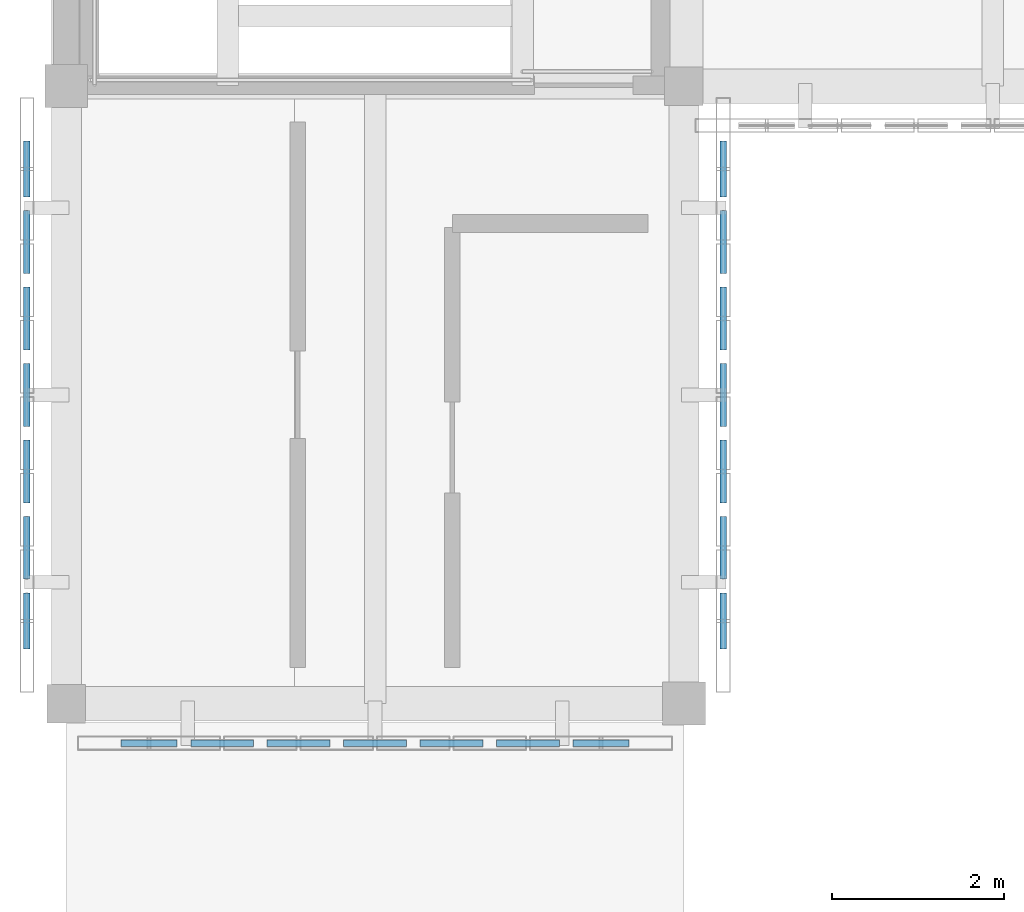
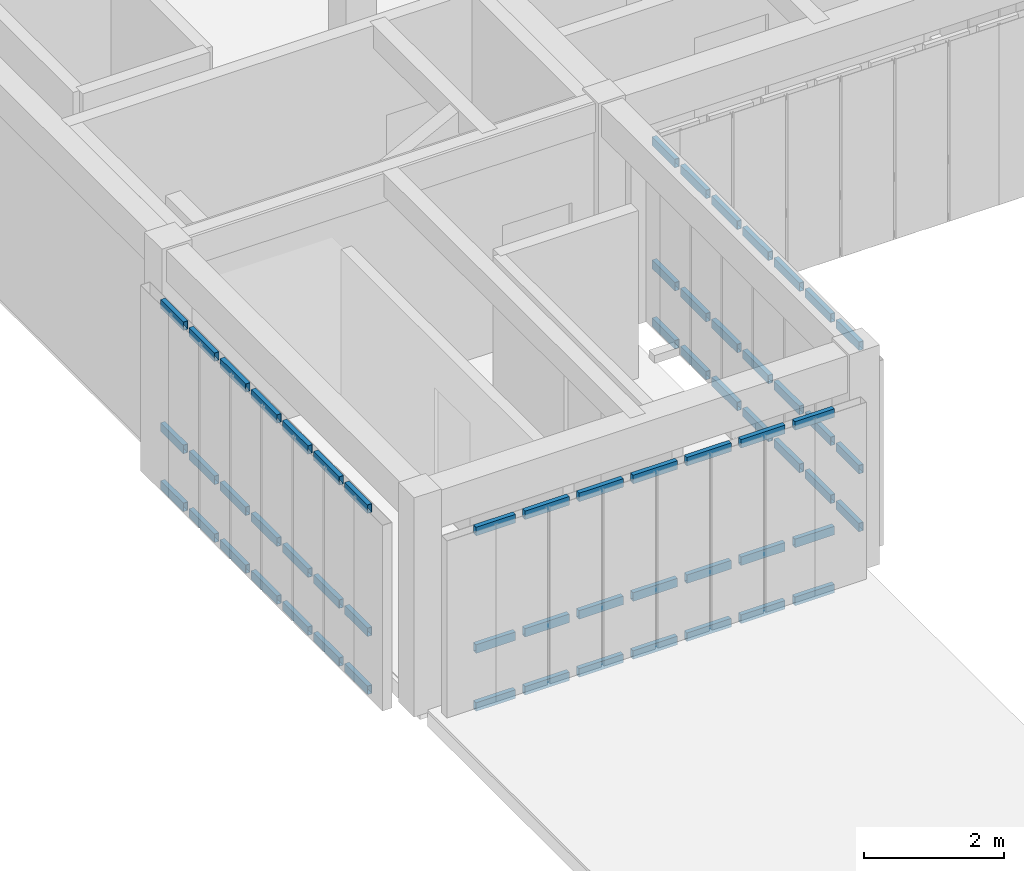
# One storey, part 13 of 67: 63 members, 3 elements without a shape of their own.
"""IFC4 building model written with IfcOpenShell, lengths in metres."""

from ifc_helpers import new_model, si_unit, direction, frame, origin, origin_2d, place, context, subcontext, project, spatial, hollow_rectangle, extrude, material, material_profile, profile_set, type_object, element, aggregate, save


model = new_model("IFC4")

# Units and contexts
model_context = context("Model", 3, precision=1e-05, world=origin(), true_north=direction((0.0, 1.0)))
body_context = subcontext(model_context, "Body", "Model", "MODEL_VIEW")
ifc_project = project(units=[si_unit("LENGTHUNIT", "METRE"), si_unit("AREAUNIT", "SQUARE_METRE"), si_unit("VOLUMEUNIT", "CUBIC_METRE"), si_unit("PLANEANGLEUNIT", "RADIAN"), si_unit("MASSUNIT", "GRAM", prefix="KILO")], contexts=[model_context])

# Site, building, storey
site_placement = place(None, origin())
site = spatial("IfcSite", under=ifc_project, at=site_placement, CompositionType="ELEMENT")
building_placement = place(site_placement, origin())
building = spatial("IfcBuilding", under=site, at=building_placement, Name="Aldebral Square Health Centre", CompositionType="ELEMENT")
storey_placement = place(building_placement, frame((0.0, 0.0, 13.5)))
storey = spatial("IfcBuildingStorey", under=building, at=storey_placement, Name="L03", CompositionType="ELEMENT", Elevation=13.5)

# Curtain wall, members
ifc_material_1 = material(Name="Aluminium and low-E solar glass", Category="aluminium")
curtain_wall_type = type_object("IfcCurtainWallType", Name="CW-FIN-SYS", PredefinedType="USERDEFINED", material=ifc_material_1)
curtain_wall_1_placement = place(storey_placement, origin())
curtain_wall_1 = element("IfcCurtainWall", 1, at=curtain_wall_1_placement, inside=storey, type_object=curtain_wall_type, Name="L03 V6 finned curtain wall L03-V6-00-03-S", ObjectType="SOLAR_CURTAIN_WALL", PredefinedType="USERDEFINED")
ifc_material_2 = material(Name="Anodised aluminium transom", Category="aluminium")
ifc_material_profile = material_profile(ifc_material_2, hollow_rectangle(XDim=0.074951171875, YDim=0.14990234375, WallThickness=0.00390625, at=origin_2d()), Name="CWT 75x150x4")
ifc_profile_set = profile_set([ifc_material_profile], Name="Anodised aluminium transom")
member_type = type_object("IfcMemberType", Name="CWT-STD", PredefinedType="USERDEFINED", material=ifc_profile_set)
member_1_placement = place(storey_placement, frame((0.639892578125, 21.139892578125, 0.03759765625), z_axis=(1.0, 0.0, 0.0), x_axis=(0.0, 1.0, 0.0)))
member_1 = element("IfcMember", 2, at=member_1_placement, type_object=member_type, Name="CW1 transom 1.1", ObjectType="TRANSOM", PredefinedType="USERDEFINED", context=body_context, shape_type="SweptSolid", body=[
    extrude(hollow_rectangle(XDim=0.074951171875, YDim=0.14990234375, WallThickness=0.00390625, at=origin_2d()), origin(), (0.0, 0.0, 1.0), 0.651611328125),
])
member_2_placement = place(storey_placement, frame((0.639892578125, 21.139892578125, 1.050048828125), z_axis=(1.0, 0.0, 0.0), x_axis=(0.0, 1.0, 0.0)))
member_2 = element("IfcMember", 3, at=member_2_placement, type_object=member_type, Name="CW1 transom 1.2", ObjectType="TRANSOM", PredefinedType="USERDEFINED", context=body_context, shape_type="SweptSolid", body=[
    extrude(hollow_rectangle(XDim=0.074951171875, YDim=0.14990234375, WallThickness=0.00390625, at=origin_2d()), origin(), (0.0, 0.0, 1.0), 0.651611328125),
])
member_3_placement = place(storey_placement, frame((0.639892578125, 21.139892578125, 3.1025390625), z_axis=(1.0, 0.0, 0.0), x_axis=(0.0, 1.0, 0.0)))
member_3 = element("IfcMember", 4, at=member_3_placement, type_object=member_type, Name="CW1 transom 1.3", ObjectType="TRANSOM", PredefinedType="USERDEFINED", context=body_context, shape_type="SweptSolid", body=[
    extrude(hollow_rectangle(XDim=0.074951171875, YDim=0.14990234375, WallThickness=0.00390625, at=origin_2d()), origin(), (0.0, 0.0, 1.0), 0.651611328125),
])
member_4_placement = place(storey_placement, frame((1.451416015625, 21.139892578125, 0.03759765625), z_axis=(1.0, 0.0, 0.0), x_axis=(0.0, 1.0, 0.0)))
member_4 = element("IfcMember", 5, at=member_4_placement, type_object=member_type, Name="CW1 transom 2.1", ObjectType="TRANSOM", PredefinedType="USERDEFINED", context=body_context, shape_type="SweptSolid", body=[
    extrude(hollow_rectangle(XDim=0.074951171875, YDim=0.14990234375, WallThickness=0.00390625, at=origin_2d()), origin(), (0.0, 0.0, 1.0), 0.7314453125),
])
member_5_placement = place(storey_placement, frame((1.451416015625, 21.139892578125, 1.050048828125), z_axis=(1.0, 0.0, 0.0), x_axis=(0.0, 1.0, 0.0)))
member_5 = element("IfcMember", 6, at=member_5_placement, type_object=member_type, Name="CW1 transom 2.2", ObjectType="TRANSOM", PredefinedType="USERDEFINED", context=body_context, shape_type="SweptSolid", body=[
    extrude(hollow_rectangle(XDim=0.074951171875, YDim=0.14990234375, WallThickness=0.00390625, at=origin_2d()), origin(), (0.0, 0.0, 1.0), 0.7314453125),
])
member_6_placement = place(storey_placement, frame((1.451416015625, 21.139892578125, 3.1025390625), z_axis=(1.0, 0.0, 0.0), x_axis=(0.0, 1.0, 0.0)))
member_6 = element("IfcMember", 7, at=member_6_placement, type_object=member_type, Name="CW1 transom 2.3", ObjectType="TRANSOM", PredefinedType="USERDEFINED", context=body_context, shape_type="SweptSolid", body=[
    extrude(hollow_rectangle(XDim=0.074951171875, YDim=0.14990234375, WallThickness=0.00390625, at=origin_2d()), origin(), (0.0, 0.0, 1.0), 0.7314453125),
])
member_7_placement = place(storey_placement, frame((2.3427734375, 21.139892578125, 0.03759765625), z_axis=(1.0, 0.0, 0.0), x_axis=(0.0, 1.0, 0.0)))
member_7 = element("IfcMember", 8, at=member_7_placement, type_object=member_type, Name="CW1 transom 3.1", ObjectType="TRANSOM", PredefinedType="USERDEFINED", context=body_context, shape_type="SweptSolid", body=[
    extrude(hollow_rectangle(XDim=0.074951171875, YDim=0.14990234375, WallThickness=0.00390625, at=origin_2d()), origin(), (0.0, 0.0, 1.0), 0.7314453125),
])
member_8_placement = place(storey_placement, frame((2.3427734375, 21.139892578125, 1.050048828125), z_axis=(1.0, 0.0, 0.0), x_axis=(0.0, 1.0, 0.0)))
member_8 = element("IfcMember", 9, at=member_8_placement, type_object=member_type, Name="CW1 transom 3.2", ObjectType="TRANSOM", PredefinedType="USERDEFINED", context=body_context, shape_type="SweptSolid", body=[
    extrude(hollow_rectangle(XDim=0.074951171875, YDim=0.14990234375, WallThickness=0.00390625, at=origin_2d()), origin(), (0.0, 0.0, 1.0), 0.7314453125),
])
member_9_placement = place(storey_placement, frame((2.3427734375, 21.139892578125, 3.1025390625), z_axis=(1.0, 0.0, 0.0), x_axis=(0.0, 1.0, 0.0)))
member_9 = element("IfcMember", 10, at=member_9_placement, type_object=member_type, Name="CW1 transom 3.3", ObjectType="TRANSOM", PredefinedType="USERDEFINED", context=body_context, shape_type="SweptSolid", body=[
    extrude(hollow_rectangle(XDim=0.074951171875, YDim=0.14990234375, WallThickness=0.00390625, at=origin_2d()), origin(), (0.0, 0.0, 1.0), 0.7314453125),
])
member_10_placement = place(storey_placement, frame((3.234375, 21.139892578125, 0.03759765625), z_axis=(1.0, 0.0, 0.0), x_axis=(0.0, 1.0, 0.0)))
member_10 = element("IfcMember", 11, at=member_10_placement, type_object=member_type, Name="CW1 transom 4.1", ObjectType="TRANSOM", PredefinedType="USERDEFINED", context=body_context, shape_type="SweptSolid", body=[
    extrude(hollow_rectangle(XDim=0.074951171875, YDim=0.14990234375, WallThickness=0.00390625, at=origin_2d()), origin(), (0.0, 0.0, 1.0), 0.7314453125),
])
member_11_placement = place(storey_placement, frame((3.234375, 21.139892578125, 1.050048828125), z_axis=(1.0, 0.0, 0.0), x_axis=(0.0, 1.0, 0.0)))
member_11 = element("IfcMember", 12, at=member_11_placement, type_object=member_type, Name="CW1 transom 4.2", ObjectType="TRANSOM", PredefinedType="USERDEFINED", context=body_context, shape_type="SweptSolid", body=[
    extrude(hollow_rectangle(XDim=0.074951171875, YDim=0.14990234375, WallThickness=0.00390625, at=origin_2d()), origin(), (0.0, 0.0, 1.0), 0.7314453125),
])
member_12_placement = place(storey_placement, frame((3.234375, 21.139892578125, 3.1025390625), z_axis=(1.0, 0.0, 0.0), x_axis=(0.0, 1.0, 0.0)))
member_12 = element("IfcMember", 13, at=member_12_placement, type_object=member_type, Name="CW1 transom 4.3", ObjectType="TRANSOM", PredefinedType="USERDEFINED", context=body_context, shape_type="SweptSolid", body=[
    extrude(hollow_rectangle(XDim=0.074951171875, YDim=0.14990234375, WallThickness=0.00390625, at=origin_2d()), origin(), (0.0, 0.0, 1.0), 0.7314453125),
])
member_13_placement = place(storey_placement, frame((4.125732421875, 21.139892578125, 0.03759765625), z_axis=(1.0, 0.0, 0.0), x_axis=(0.0, 1.0, 0.0)))
member_13 = element("IfcMember", 14, at=member_13_placement, type_object=member_type, Name="CW1 transom 5.1", ObjectType="TRANSOM", PredefinedType="USERDEFINED", context=body_context, shape_type="SweptSolid", body=[
    extrude(hollow_rectangle(XDim=0.074951171875, YDim=0.14990234375, WallThickness=0.00390625, at=origin_2d()), origin(), (0.0, 0.0, 1.0), 0.7314453125),
])
member_14_placement = place(storey_placement, frame((4.125732421875, 21.139892578125, 1.050048828125), z_axis=(1.0, 0.0, 0.0), x_axis=(0.0, 1.0, 0.0)))
member_14 = element("IfcMember", 15, at=member_14_placement, type_object=member_type, Name="CW1 transom 5.2", ObjectType="TRANSOM", PredefinedType="USERDEFINED", context=body_context, shape_type="SweptSolid", body=[
    extrude(hollow_rectangle(XDim=0.074951171875, YDim=0.14990234375, WallThickness=0.00390625, at=origin_2d()), origin(), (0.0, 0.0, 1.0), 0.7314453125),
])
member_15_placement = place(storey_placement, frame((4.125732421875, 21.139892578125, 3.1025390625), z_axis=(1.0, 0.0, 0.0), x_axis=(0.0, 1.0, 0.0)))
member_15 = element("IfcMember", 16, at=member_15_placement, type_object=member_type, Name="CW1 transom 5.3", ObjectType="TRANSOM", PredefinedType="USERDEFINED", context=body_context, shape_type="SweptSolid", body=[
    extrude(hollow_rectangle(XDim=0.074951171875, YDim=0.14990234375, WallThickness=0.00390625, at=origin_2d()), origin(), (0.0, 0.0, 1.0), 0.7314453125),
])
member_16_placement = place(storey_placement, frame((5.01708984375, 21.139892578125, 0.03759765625), z_axis=(1.0, 0.0, 0.0), x_axis=(0.0, 1.0, 0.0)))
member_16 = element("IfcMember", 17, at=member_16_placement, type_object=member_type, Name="CW1 transom 6.1", ObjectType="TRANSOM", PredefinedType="USERDEFINED", context=body_context, shape_type="SweptSolid", body=[
    extrude(hollow_rectangle(XDim=0.074951171875, YDim=0.14990234375, WallThickness=0.00390625, at=origin_2d()), origin(), (0.0, 0.0, 1.0), 0.7314453125),
])
member_17_placement = place(storey_placement, frame((5.01708984375, 21.139892578125, 1.050048828125), z_axis=(1.0, 0.0, 0.0), x_axis=(0.0, 1.0, 0.0)))
member_17 = element("IfcMember", 18, at=member_17_placement, type_object=member_type, Name="CW1 transom 6.2", ObjectType="TRANSOM", PredefinedType="USERDEFINED", context=body_context, shape_type="SweptSolid", body=[
    extrude(hollow_rectangle(XDim=0.074951171875, YDim=0.14990234375, WallThickness=0.00390625, at=origin_2d()), origin(), (0.0, 0.0, 1.0), 0.7314453125),
])
member_18_placement = place(storey_placement, frame((5.01708984375, 21.139892578125, 3.1025390625), z_axis=(1.0, 0.0, 0.0), x_axis=(0.0, 1.0, 0.0)))
member_18 = element("IfcMember", 19, at=member_18_placement, type_object=member_type, Name="CW1 transom 6.3", ObjectType="TRANSOM", PredefinedType="USERDEFINED", context=body_context, shape_type="SweptSolid", body=[
    extrude(hollow_rectangle(XDim=0.074951171875, YDim=0.14990234375, WallThickness=0.00390625, at=origin_2d()), origin(), (0.0, 0.0, 1.0), 0.7314453125),
])
member_19_placement = place(storey_placement, frame((5.90869140625, 21.139892578125, 0.03759765625), z_axis=(1.0, 0.0, 0.0), x_axis=(0.0, 1.0, 0.0)))
member_19 = element("IfcMember", 20, at=member_19_placement, type_object=member_type, Name="CW1 transom 7.1", ObjectType="TRANSOM", PredefinedType="USERDEFINED", context=body_context, shape_type="SweptSolid", body=[
    extrude(hollow_rectangle(XDim=0.074951171875, YDim=0.14990234375, WallThickness=0.00390625, at=origin_2d()), origin(), (0.0, 0.0, 1.0), 0.6513671875),
])
member_20_placement = place(storey_placement, frame((5.90869140625, 21.139892578125, 1.050048828125), z_axis=(1.0, 0.0, 0.0), x_axis=(0.0, 1.0, 0.0)))
member_20 = element("IfcMember", 21, at=member_20_placement, type_object=member_type, Name="CW1 transom 7.2", ObjectType="TRANSOM", PredefinedType="USERDEFINED", context=body_context, shape_type="SweptSolid", body=[
    extrude(hollow_rectangle(XDim=0.074951171875, YDim=0.14990234375, WallThickness=0.00390625, at=origin_2d()), origin(), (0.0, 0.0, 1.0), 0.6513671875),
])
member_21_placement = place(storey_placement, frame((5.90869140625, 21.139892578125, 3.1025390625), z_axis=(1.0, 0.0, 0.0), x_axis=(0.0, 1.0, 0.0)))
member_21 = element("IfcMember", 22, at=member_21_placement, type_object=member_type, Name="CW1 transom 7.3", ObjectType="TRANSOM", PredefinedType="USERDEFINED", context=body_context, shape_type="SweptSolid", body=[
    extrude(hollow_rectangle(XDim=0.074951171875, YDim=0.14990234375, WallThickness=0.00390625, at=origin_2d()), origin(), (0.0, 0.0, 1.0), 0.6513671875),
])
aggregate(curtain_wall_1, [member_1, member_2, member_3, member_4, member_5, member_6, member_7, member_8, member_9, member_10, member_11, member_12, member_13, member_14, member_15, member_16, member_17, member_18, member_19, member_20, member_21])

curtain_wall_2_placement = place(storey_placement, origin())
curtain_wall_2 = element("IfcCurtainWall", 23, at=curtain_wall_2_placement, inside=storey, type_object=curtain_wall_type, Name="L03 V6 finned curtain wall L03-V6-00-03-W", ObjectType="SOLAR_CURTAIN_WALL", PredefinedType="USERDEFINED")
member_22_placement = place(storey_placement, frame((-0.4599609375, 28.159912109375, 0.03759765625), z_axis=(0.0, -1.0, 0.0), x_axis=(1.0, 0.0, 0.0)))
member_22 = element("IfcMember", 24, at=member_22_placement, type_object=member_type, Name="CW1 transom 1.1", ObjectType="TRANSOM", PredefinedType="USERDEFINED", context=body_context, shape_type="SweptSolid", body=[
    extrude(hollow_rectangle(XDim=0.074951171875, YDim=0.14990234375, WallThickness=0.00390625, at=origin_2d()), origin(), (0.0, 0.0, 1.0), 0.6513671875),
])
member_23_placement = place(storey_placement, frame((-0.4599609375, 28.159912109375, 1.050048828125), z_axis=(0.0, -1.0, 0.0), x_axis=(1.0, 0.0, 0.0)))
member_23 = element("IfcMember", 25, at=member_23_placement, type_object=member_type, Name="CW1 transom 1.2", ObjectType="TRANSOM", PredefinedType="USERDEFINED", context=body_context, shape_type="SweptSolid", body=[
    extrude(hollow_rectangle(XDim=0.074951171875, YDim=0.14990234375, WallThickness=0.00390625, at=origin_2d()), origin(), (0.0, 0.0, 1.0), 0.6513671875),
])
member_24_placement = place(storey_placement, frame((-0.4599609375, 28.159912109375, 3.202392578125), z_axis=(0.0, -1.0, 0.0), x_axis=(1.0, 0.0, 0.0)))
member_24 = element("IfcMember", 26, at=member_24_placement, type_object=member_type, Name="CW1 transom 1.3", ObjectType="TRANSOM", PredefinedType="USERDEFINED", context=body_context, shape_type="SweptSolid", body=[
    extrude(hollow_rectangle(XDim=0.074951171875, YDim=0.14990234375, WallThickness=0.00390625, at=origin_2d()), origin(), (0.0, 0.0, 1.0), 0.6513671875),
])
member_25_placement = place(storey_placement, frame((-0.4599609375, 27.3486328125, 0.03759765625), z_axis=(0.0, -1.0, 0.0), x_axis=(1.0, 0.0, 0.0)))
member_25 = element("IfcMember", 27, at=member_25_placement, type_object=member_type, Name="CW1 transom 2.1", ObjectType="TRANSOM", PredefinedType="USERDEFINED", context=body_context, shape_type="SweptSolid", body=[
    extrude(hollow_rectangle(XDim=0.074951171875, YDim=0.14990234375, WallThickness=0.00390625, at=origin_2d()), origin(), (0.0, 0.0, 1.0), 0.7314453125),
])
member_26_placement = place(storey_placement, frame((-0.4599609375, 27.3486328125, 1.050048828125), z_axis=(0.0, -1.0, 0.0), x_axis=(1.0, 0.0, 0.0)))
member_26 = element("IfcMember", 28, at=member_26_placement, type_object=member_type, Name="CW1 transom 2.2", ObjectType="TRANSOM", PredefinedType="USERDEFINED", context=body_context, shape_type="SweptSolid", body=[
    extrude(hollow_rectangle(XDim=0.074951171875, YDim=0.14990234375, WallThickness=0.00390625, at=origin_2d()), origin(), (0.0, 0.0, 1.0), 0.7314453125),
])
member_27_placement = place(storey_placement, frame((-0.4599609375, 27.3486328125, 3.202392578125), z_axis=(0.0, -1.0, 0.0), x_axis=(1.0, 0.0, 0.0)))
member_27 = element("IfcMember", 29, at=member_27_placement, type_object=member_type, Name="CW1 transom 2.3", ObjectType="TRANSOM", PredefinedType="USERDEFINED", context=body_context, shape_type="SweptSolid", body=[
    extrude(hollow_rectangle(XDim=0.074951171875, YDim=0.14990234375, WallThickness=0.00390625, at=origin_2d()), origin(), (0.0, 0.0, 1.0), 0.7314453125),
])
member_28_placement = place(storey_placement, frame((-0.4599609375, 26.45703125, 0.03759765625), z_axis=(0.0, -1.0, 0.0), x_axis=(1.0, 0.0, 0.0)))
member_28 = element("IfcMember", 30, at=member_28_placement, type_object=member_type, Name="CW1 transom 3.1", ObjectType="TRANSOM", PredefinedType="USERDEFINED", context=body_context, shape_type="SweptSolid", body=[
    extrude(hollow_rectangle(XDim=0.074951171875, YDim=0.14990234375, WallThickness=0.00390625, at=origin_2d()), origin(), (0.0, 0.0, 1.0), 0.731201171875),
])
member_29_placement = place(storey_placement, frame((-0.4599609375, 26.45703125, 1.050048828125), z_axis=(0.0, -1.0, 0.0), x_axis=(1.0, 0.0, 0.0)))
member_29 = element("IfcMember", 31, at=member_29_placement, type_object=member_type, Name="CW1 transom 3.2", ObjectType="TRANSOM", PredefinedType="USERDEFINED", context=body_context, shape_type="SweptSolid", body=[
    extrude(hollow_rectangle(XDim=0.074951171875, YDim=0.14990234375, WallThickness=0.00390625, at=origin_2d()), origin(), (0.0, 0.0, 1.0), 0.731201171875),
])
member_30_placement = place(storey_placement, frame((-0.4599609375, 26.45703125, 3.202392578125), z_axis=(0.0, -1.0, 0.0), x_axis=(1.0, 0.0, 0.0)))
member_30 = element("IfcMember", 32, at=member_30_placement, type_object=member_type, Name="CW1 transom 3.3", ObjectType="TRANSOM", PredefinedType="USERDEFINED", context=body_context, shape_type="SweptSolid", body=[
    extrude(hollow_rectangle(XDim=0.074951171875, YDim=0.14990234375, WallThickness=0.00390625, at=origin_2d()), origin(), (0.0, 0.0, 1.0), 0.731201171875),
])
member_31_placement = place(storey_placement, frame((-0.4599609375, 25.565673828125, 0.03759765625), z_axis=(0.0, -1.0, 0.0), x_axis=(1.0, 0.0, 0.0)))
member_31 = element("IfcMember", 33, at=member_31_placement, type_object=member_type, Name="CW1 transom 4.1", ObjectType="TRANSOM", PredefinedType="USERDEFINED", context=body_context, shape_type="SweptSolid", body=[
    extrude(hollow_rectangle(XDim=0.074951171875, YDim=0.14990234375, WallThickness=0.00390625, at=origin_2d()), origin(), (0.0, 0.0, 1.0), 0.7314453125),
])
member_32_placement = place(storey_placement, frame((-0.4599609375, 25.565673828125, 1.050048828125), z_axis=(0.0, -1.0, 0.0), x_axis=(1.0, 0.0, 0.0)))
member_32 = element("IfcMember", 34, at=member_32_placement, type_object=member_type, Name="CW1 transom 4.2", ObjectType="TRANSOM", PredefinedType="USERDEFINED", context=body_context, shape_type="SweptSolid", body=[
    extrude(hollow_rectangle(XDim=0.074951171875, YDim=0.14990234375, WallThickness=0.00390625, at=origin_2d()), origin(), (0.0, 0.0, 1.0), 0.7314453125),
])
member_33_placement = place(storey_placement, frame((-0.4599609375, 25.565673828125, 3.202392578125), z_axis=(0.0, -1.0, 0.0), x_axis=(1.0, 0.0, 0.0)))
member_33 = element("IfcMember", 35, at=member_33_placement, type_object=member_type, Name="CW1 transom 4.3", ObjectType="TRANSOM", PredefinedType="USERDEFINED", context=body_context, shape_type="SweptSolid", body=[
    extrude(hollow_rectangle(XDim=0.074951171875, YDim=0.14990234375, WallThickness=0.00390625, at=origin_2d()), origin(), (0.0, 0.0, 1.0), 0.7314453125),
])
member_34_placement = place(storey_placement, frame((-0.4599609375, 24.67431640625, 0.03759765625), z_axis=(0.0, -1.0, 0.0), x_axis=(1.0, 0.0, 0.0)))
member_34 = element("IfcMember", 36, at=member_34_placement, type_object=member_type, Name="CW1 transom 5.1", ObjectType="TRANSOM", PredefinedType="USERDEFINED", context=body_context, shape_type="SweptSolid", body=[
    extrude(hollow_rectangle(XDim=0.074951171875, YDim=0.14990234375, WallThickness=0.00390625, at=origin_2d()), origin(), (0.0, 0.0, 1.0), 0.7314453125),
])
member_35_placement = place(storey_placement, frame((-0.4599609375, 24.67431640625, 1.050048828125), z_axis=(0.0, -1.0, 0.0), x_axis=(1.0, 0.0, 0.0)))
member_35 = element("IfcMember", 37, at=member_35_placement, type_object=member_type, Name="CW1 transom 5.2", ObjectType="TRANSOM", PredefinedType="USERDEFINED", context=body_context, shape_type="SweptSolid", body=[
    extrude(hollow_rectangle(XDim=0.074951171875, YDim=0.14990234375, WallThickness=0.00390625, at=origin_2d()), origin(), (0.0, 0.0, 1.0), 0.7314453125),
])
member_36_placement = place(storey_placement, frame((-0.4599609375, 24.67431640625, 3.202392578125), z_axis=(0.0, -1.0, 0.0), x_axis=(1.0, 0.0, 0.0)))
member_36 = element("IfcMember", 38, at=member_36_placement, type_object=member_type, Name="CW1 transom 5.3", ObjectType="TRANSOM", PredefinedType="USERDEFINED", context=body_context, shape_type="SweptSolid", body=[
    extrude(hollow_rectangle(XDim=0.074951171875, YDim=0.14990234375, WallThickness=0.00390625, at=origin_2d()), origin(), (0.0, 0.0, 1.0), 0.7314453125),
])
member_37_placement = place(storey_placement, frame((-0.4599609375, 23.782958984375, 0.03759765625), z_axis=(0.0, -1.0, 0.0), x_axis=(1.0, 0.0, 0.0)))
member_37 = element("IfcMember", 39, at=member_37_placement, type_object=member_type, Name="CW1 transom 6.1", ObjectType="TRANSOM", PredefinedType="USERDEFINED", context=body_context, shape_type="SweptSolid", body=[
    extrude(hollow_rectangle(XDim=0.074951171875, YDim=0.14990234375, WallThickness=0.00390625, at=origin_2d()), origin(), (0.0, 0.0, 1.0), 0.7314453125),
])
member_38_placement = place(storey_placement, frame((-0.4599609375, 23.782958984375, 1.050048828125), z_axis=(0.0, -1.0, 0.0), x_axis=(1.0, 0.0, 0.0)))
member_38 = element("IfcMember", 40, at=member_38_placement, type_object=member_type, Name="CW1 transom 6.2", ObjectType="TRANSOM", PredefinedType="USERDEFINED", context=body_context, shape_type="SweptSolid", body=[
    extrude(hollow_rectangle(XDim=0.074951171875, YDim=0.14990234375, WallThickness=0.00390625, at=origin_2d()), origin(), (0.0, 0.0, 1.0), 0.7314453125),
])
member_39_placement = place(storey_placement, frame((-0.4599609375, 23.782958984375, 3.202392578125), z_axis=(0.0, -1.0, 0.0), x_axis=(1.0, 0.0, 0.0)))
member_39 = element("IfcMember", 41, at=member_39_placement, type_object=member_type, Name="CW1 transom 6.3", ObjectType="TRANSOM", PredefinedType="USERDEFINED", context=body_context, shape_type="SweptSolid", body=[
    extrude(hollow_rectangle(XDim=0.074951171875, YDim=0.14990234375, WallThickness=0.00390625, at=origin_2d()), origin(), (0.0, 0.0, 1.0), 0.7314453125),
])
member_40_placement = place(storey_placement, frame((-0.4599609375, 22.891357421875, 0.03759765625), z_axis=(0.0, -1.0, 0.0), x_axis=(1.0, 0.0, 0.0)))
member_40 = element("IfcMember", 42, at=member_40_placement, type_object=member_type, Name="CW1 transom 7.1", ObjectType="TRANSOM", PredefinedType="USERDEFINED", context=body_context, shape_type="SweptSolid", body=[
    extrude(hollow_rectangle(XDim=0.074951171875, YDim=0.14990234375, WallThickness=0.00390625, at=origin_2d()), origin(), (0.0, 0.0, 1.0), 0.6513671875),
])
member_41_placement = place(storey_placement, frame((-0.4599609375, 22.891357421875, 1.050048828125), z_axis=(0.0, -1.0, 0.0), x_axis=(1.0, 0.0, 0.0)))
member_41 = element("IfcMember", 43, at=member_41_placement, type_object=member_type, Name="CW1 transom 7.2", ObjectType="TRANSOM", PredefinedType="USERDEFINED", context=body_context, shape_type="SweptSolid", body=[
    extrude(hollow_rectangle(XDim=0.074951171875, YDim=0.14990234375, WallThickness=0.00390625, at=origin_2d()), origin(), (0.0, 0.0, 1.0), 0.6513671875),
])
member_42_placement = place(storey_placement, frame((-0.4599609375, 22.891357421875, 3.202392578125), z_axis=(0.0, -1.0, 0.0), x_axis=(1.0, 0.0, 0.0)))
member_42 = element("IfcMember", 44, at=member_42_placement, type_object=member_type, Name="CW1 transom 7.3", ObjectType="TRANSOM", PredefinedType="USERDEFINED", context=body_context, shape_type="SweptSolid", body=[
    extrude(hollow_rectangle(XDim=0.074951171875, YDim=0.14990234375, WallThickness=0.00390625, at=origin_2d()), origin(), (0.0, 0.0, 1.0), 0.6513671875),
])
aggregate(curtain_wall_2, [member_22, member_23, member_24, member_25, member_26, member_27, member_28, member_29, member_30, member_31, member_32, member_33, member_34, member_35, member_36, member_37, member_38, member_39, member_40, member_41, member_42])

curtain_wall_3_placement = place(storey_placement, origin())
curtain_wall_3 = element("IfcCurtainWall", 45, at=curtain_wall_3_placement, inside=storey, type_object=curtain_wall_type, Name="L03 V6 finned curtain wall L03-V6-00-03-E", ObjectType="SOLAR_CURTAIN_WALL", PredefinedType="USERDEFINED")
member_43_placement = place(storey_placement, frame((7.659912109375, 22.239990234375, 0.03759765625), z_axis=(0.0, 1.0, 0.0), x_axis=(-1.0, 0.0, 0.0)))
member_43 = element("IfcMember", 46, at=member_43_placement, type_object=member_type, Name="CW1 transom 1.1", ObjectType="TRANSOM", PredefinedType="USERDEFINED", context=body_context, shape_type="SweptSolid", body=[
    extrude(hollow_rectangle(XDim=0.074951171875, YDim=0.14990234375, WallThickness=0.00390625, at=origin_2d()), origin(), (0.0, 0.0, 1.0), 0.6513671875),
])
member_44_placement = place(storey_placement, frame((7.659912109375, 22.239990234375, 1.050048828125), z_axis=(0.0, 1.0, 0.0), x_axis=(-1.0, 0.0, 0.0)))
member_44 = element("IfcMember", 47, at=member_44_placement, type_object=member_type, Name="CW1 transom 1.2", ObjectType="TRANSOM", PredefinedType="USERDEFINED", context=body_context, shape_type="SweptSolid", body=[
    extrude(hollow_rectangle(XDim=0.074951171875, YDim=0.14990234375, WallThickness=0.00390625, at=origin_2d()), origin(), (0.0, 0.0, 1.0), 0.6513671875),
])
member_45_placement = place(storey_placement, frame((7.659912109375, 22.239990234375, 3.202392578125), z_axis=(0.0, 1.0, 0.0), x_axis=(-1.0, 0.0, 0.0)))
member_45 = element("IfcMember", 48, at=member_45_placement, type_object=member_type, Name="CW1 transom 1.3", ObjectType="TRANSOM", PredefinedType="USERDEFINED", context=body_context, shape_type="SweptSolid", body=[
    extrude(hollow_rectangle(XDim=0.074951171875, YDim=0.14990234375, WallThickness=0.00390625, at=origin_2d()), origin(), (0.0, 0.0, 1.0), 0.6513671875),
])
member_46_placement = place(storey_placement, frame((7.659912109375, 23.051513671875, 0.03759765625), z_axis=(0.0, 1.0, 0.0), x_axis=(-1.0, 0.0, 0.0)))
member_46 = element("IfcMember", 49, at=member_46_placement, type_object=member_type, Name="CW1 transom 2.1", ObjectType="TRANSOM", PredefinedType="USERDEFINED", context=body_context, shape_type="SweptSolid", body=[
    extrude(hollow_rectangle(XDim=0.074951171875, YDim=0.14990234375, WallThickness=0.00390625, at=origin_2d()), origin(), (0.0, 0.0, 1.0), 0.7314453125),
])
member_47_placement = place(storey_placement, frame((7.659912109375, 23.051513671875, 1.050048828125), z_axis=(0.0, 1.0, 0.0), x_axis=(-1.0, 0.0, 0.0)))
member_47 = element("IfcMember", 50, at=member_47_placement, type_object=member_type, Name="CW1 transom 2.2", ObjectType="TRANSOM", PredefinedType="USERDEFINED", context=body_context, shape_type="SweptSolid", body=[
    extrude(hollow_rectangle(XDim=0.074951171875, YDim=0.14990234375, WallThickness=0.00390625, at=origin_2d()), origin(), (0.0, 0.0, 1.0), 0.7314453125),
])
member_48_placement = place(storey_placement, frame((7.659912109375, 23.051513671875, 3.202392578125), z_axis=(0.0, 1.0, 0.0), x_axis=(-1.0, 0.0, 0.0)))
member_48 = element("IfcMember", 51, at=member_48_placement, type_object=member_type, Name="CW1 transom 2.3", ObjectType="TRANSOM", PredefinedType="USERDEFINED", context=body_context, shape_type="SweptSolid", body=[
    extrude(hollow_rectangle(XDim=0.074951171875, YDim=0.14990234375, WallThickness=0.00390625, at=origin_2d()), origin(), (0.0, 0.0, 1.0), 0.7314453125),
])
member_49_placement = place(storey_placement, frame((7.659912109375, 23.94287109375, 0.03759765625), z_axis=(0.0, 1.0, 0.0), x_axis=(-1.0, 0.0, 0.0)))
member_49 = element("IfcMember", 52, at=member_49_placement, type_object=member_type, Name="CW1 transom 3.1", ObjectType="TRANSOM", PredefinedType="USERDEFINED", context=body_context, shape_type="SweptSolid", body=[
    extrude(hollow_rectangle(XDim=0.074951171875, YDim=0.14990234375, WallThickness=0.00390625, at=origin_2d()), origin(), (0.0, 0.0, 1.0), 0.7314453125),
])
member_50_placement = place(storey_placement, frame((7.659912109375, 23.94287109375, 1.050048828125), z_axis=(0.0, 1.0, 0.0), x_axis=(-1.0, 0.0, 0.0)))
member_50 = element("IfcMember", 53, at=member_50_placement, type_object=member_type, Name="CW1 transom 3.2", ObjectType="TRANSOM", PredefinedType="USERDEFINED", context=body_context, shape_type="SweptSolid", body=[
    extrude(hollow_rectangle(XDim=0.074951171875, YDim=0.14990234375, WallThickness=0.00390625, at=origin_2d()), origin(), (0.0, 0.0, 1.0), 0.7314453125),
])
member_51_placement = place(storey_placement, frame((7.659912109375, 23.94287109375, 3.202392578125), z_axis=(0.0, 1.0, 0.0), x_axis=(-1.0, 0.0, 0.0)))
member_51 = element("IfcMember", 54, at=member_51_placement, type_object=member_type, Name="CW1 transom 3.3", ObjectType="TRANSOM", PredefinedType="USERDEFINED", context=body_context, shape_type="SweptSolid", body=[
    extrude(hollow_rectangle(XDim=0.074951171875, YDim=0.14990234375, WallThickness=0.00390625, at=origin_2d()), origin(), (0.0, 0.0, 1.0), 0.7314453125),
])
member_52_placement = place(storey_placement, frame((7.659912109375, 24.834228515625, 0.03759765625), z_axis=(0.0, 1.0, 0.0), x_axis=(-1.0, 0.0, 0.0)))
member_52 = element("IfcMember", 55, at=member_52_placement, type_object=member_type, Name="CW1 transom 4.1", ObjectType="TRANSOM", PredefinedType="USERDEFINED", context=body_context, shape_type="SweptSolid", body=[
    extrude(hollow_rectangle(XDim=0.074951171875, YDim=0.14990234375, WallThickness=0.00390625, at=origin_2d()), origin(), (0.0, 0.0, 1.0), 0.7314453125),
])
member_53_placement = place(storey_placement, frame((7.659912109375, 24.834228515625, 1.050048828125), z_axis=(0.0, 1.0, 0.0), x_axis=(-1.0, 0.0, 0.0)))
member_53 = element("IfcMember", 56, at=member_53_placement, type_object=member_type, Name="CW1 transom 4.2", ObjectType="TRANSOM", PredefinedType="USERDEFINED", context=body_context, shape_type="SweptSolid", body=[
    extrude(hollow_rectangle(XDim=0.074951171875, YDim=0.14990234375, WallThickness=0.00390625, at=origin_2d()), origin(), (0.0, 0.0, 1.0), 0.7314453125),
])
member_54_placement = place(storey_placement, frame((7.659912109375, 24.834228515625, 3.202392578125), z_axis=(0.0, 1.0, 0.0), x_axis=(-1.0, 0.0, 0.0)))
member_54 = element("IfcMember", 57, at=member_54_placement, type_object=member_type, Name="CW1 transom 4.3", ObjectType="TRANSOM", PredefinedType="USERDEFINED", context=body_context, shape_type="SweptSolid", body=[
    extrude(hollow_rectangle(XDim=0.074951171875, YDim=0.14990234375, WallThickness=0.00390625, at=origin_2d()), origin(), (0.0, 0.0, 1.0), 0.7314453125),
])
member_55_placement = place(storey_placement, frame((7.659912109375, 25.725830078125, 0.03759765625), z_axis=(0.0, 1.0, 0.0), x_axis=(-1.0, 0.0, 0.0)))
member_55 = element("IfcMember", 58, at=member_55_placement, type_object=member_type, Name="CW1 transom 5.1", ObjectType="TRANSOM", PredefinedType="USERDEFINED", context=body_context, shape_type="SweptSolid", body=[
    extrude(hollow_rectangle(XDim=0.074951171875, YDim=0.14990234375, WallThickness=0.00390625, at=origin_2d()), origin(), (0.0, 0.0, 1.0), 0.731201171875),
])
member_56_placement = place(storey_placement, frame((7.659912109375, 25.725830078125, 1.050048828125), z_axis=(0.0, 1.0, 0.0), x_axis=(-1.0, 0.0, 0.0)))
member_56 = element("IfcMember", 59, at=member_56_placement, type_object=member_type, Name="CW1 transom 5.2", ObjectType="TRANSOM", PredefinedType="USERDEFINED", context=body_context, shape_type="SweptSolid", body=[
    extrude(hollow_rectangle(XDim=0.074951171875, YDim=0.14990234375, WallThickness=0.00390625, at=origin_2d()), origin(), (0.0, 0.0, 1.0), 0.731201171875),
])
member_57_placement = place(storey_placement, frame((7.659912109375, 25.725830078125, 3.202392578125), z_axis=(0.0, 1.0, 0.0), x_axis=(-1.0, 0.0, 0.0)))
member_57 = element("IfcMember", 60, at=member_57_placement, type_object=member_type, Name="CW1 transom 5.3", ObjectType="TRANSOM", PredefinedType="USERDEFINED", context=body_context, shape_type="SweptSolid", body=[
    extrude(hollow_rectangle(XDim=0.074951171875, YDim=0.14990234375, WallThickness=0.00390625, at=origin_2d()), origin(), (0.0, 0.0, 1.0), 0.731201171875),
])
member_58_placement = place(storey_placement, frame((7.659912109375, 26.6171875, 0.03759765625), z_axis=(0.0, 1.0, 0.0), x_axis=(-1.0, 0.0, 0.0)))
member_58 = element("IfcMember", 61, at=member_58_placement, type_object=member_type, Name="CW1 transom 6.1", ObjectType="TRANSOM", PredefinedType="USERDEFINED", context=body_context, shape_type="SweptSolid", body=[
    extrude(hollow_rectangle(XDim=0.074951171875, YDim=0.14990234375, WallThickness=0.00390625, at=origin_2d()), origin(), (0.0, 0.0, 1.0), 0.7314453125),
])
member_59_placement = place(storey_placement, frame((7.659912109375, 26.6171875, 1.050048828125), z_axis=(0.0, 1.0, 0.0), x_axis=(-1.0, 0.0, 0.0)))
member_59 = element("IfcMember", 62, at=member_59_placement, type_object=member_type, Name="CW1 transom 6.2", ObjectType="TRANSOM", PredefinedType="USERDEFINED", context=body_context, shape_type="SweptSolid", body=[
    extrude(hollow_rectangle(XDim=0.074951171875, YDim=0.14990234375, WallThickness=0.00390625, at=origin_2d()), origin(), (0.0, 0.0, 1.0), 0.7314453125),
])
member_60_placement = place(storey_placement, frame((7.659912109375, 26.6171875, 3.202392578125), z_axis=(0.0, 1.0, 0.0), x_axis=(-1.0, 0.0, 0.0)))
member_60 = element("IfcMember", 63, at=member_60_placement, type_object=member_type, Name="CW1 transom 6.3", ObjectType="TRANSOM", PredefinedType="USERDEFINED", context=body_context, shape_type="SweptSolid", body=[
    extrude(hollow_rectangle(XDim=0.074951171875, YDim=0.14990234375, WallThickness=0.00390625, at=origin_2d()), origin(), (0.0, 0.0, 1.0), 0.7314453125),
])
member_61_placement = place(storey_placement, frame((7.659912109375, 27.508544921875, 0.03759765625), z_axis=(0.0, 1.0, 0.0), x_axis=(-1.0, 0.0, 0.0)))
member_61 = element("IfcMember", 64, at=member_61_placement, type_object=member_type, Name="CW1 transom 7.1", ObjectType="TRANSOM", PredefinedType="USERDEFINED", context=body_context, shape_type="SweptSolid", body=[
    extrude(hollow_rectangle(XDim=0.074951171875, YDim=0.14990234375, WallThickness=0.00390625, at=origin_2d()), origin(), (0.0, 0.0, 1.0), 0.6513671875),
])
member_62_placement = place(storey_placement, frame((7.659912109375, 27.508544921875, 1.050048828125), z_axis=(0.0, 1.0, 0.0), x_axis=(-1.0, 0.0, 0.0)))
member_62 = element("IfcMember", 65, at=member_62_placement, type_object=member_type, Name="CW1 transom 7.2", ObjectType="TRANSOM", PredefinedType="USERDEFINED", context=body_context, shape_type="SweptSolid", body=[
    extrude(hollow_rectangle(XDim=0.074951171875, YDim=0.14990234375, WallThickness=0.00390625, at=origin_2d()), origin(), (0.0, 0.0, 1.0), 0.6513671875),
])
member_63_placement = place(storey_placement, frame((7.659912109375, 27.508544921875, 3.202392578125), z_axis=(0.0, 1.0, 0.0), x_axis=(-1.0, 0.0, 0.0)))
member_63 = element("IfcMember", 66, at=member_63_placement, type_object=member_type, Name="CW1 transom 7.3", ObjectType="TRANSOM", PredefinedType="USERDEFINED", context=body_context, shape_type="SweptSolid", body=[
    extrude(hollow_rectangle(XDim=0.074951171875, YDim=0.14990234375, WallThickness=0.00390625, at=origin_2d()), origin(), (0.0, 0.0, 1.0), 0.6513671875),
])
aggregate(curtain_wall_3, [member_43, member_44, member_45, member_46, member_47, member_48, member_49, member_50, member_51, member_52, member_53, member_54, member_55, member_56, member_57, member_58, member_59, member_60, member_61, member_62, member_63])

save(model, "model.ifc")
